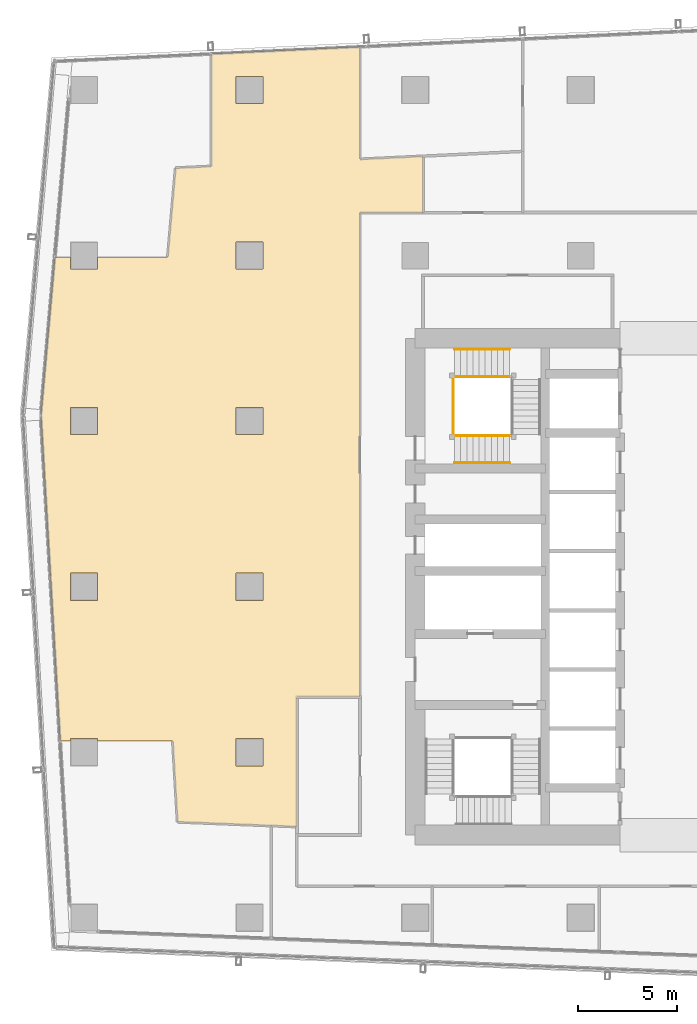
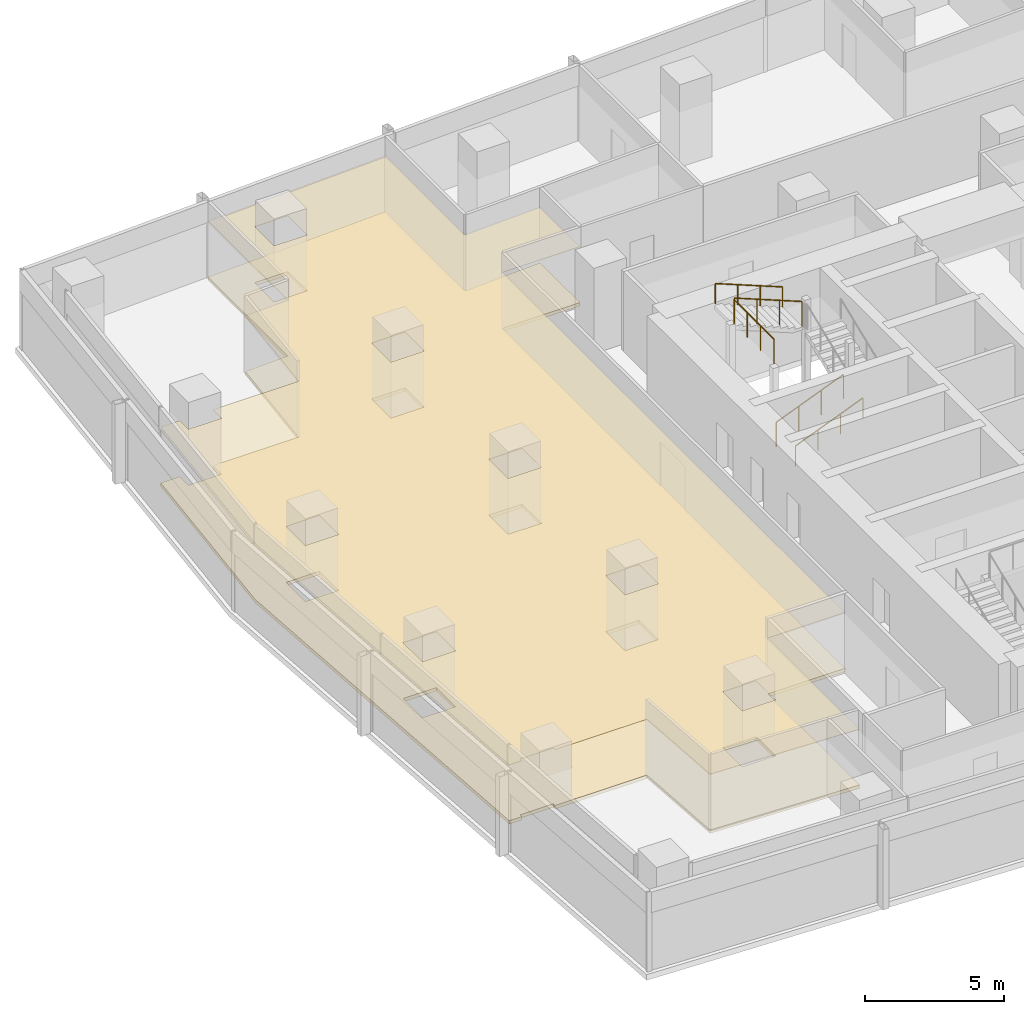
# One storey, part 33 of 40: 5 railings, 2 coverings.
"""IFC4 building model written with IfcOpenShell, lengths in metres."""

from ifc_helpers import new_model, si_unit, direction, frame, origin, origin_2d, place, context, subcontext, project, spatial, polyline, circle, outline, extrude, material, layer, layer_set, type_object, element, save


model = new_model("IFC4")

# Units and contexts
model_context = context("Model", 3, precision=1e-05, world=origin(), true_north=direction((0.0, 1.0)))
body_context = subcontext(model_context, "Body", "Model", "MODEL_VIEW")
ifc_project = project(units=[si_unit("LENGTHUNIT", "METRE"), si_unit("AREAUNIT", "SQUARE_METRE"), si_unit("VOLUMEUNIT", "CUBIC_METRE"), si_unit("PLANEANGLEUNIT", "RADIAN"), si_unit("MASSUNIT", "GRAM", prefix="KILO")], contexts=[model_context])

# Site, building, storey
site_placement = place(None, origin())
site = spatial("IfcSite", under=ifc_project, at=site_placement, CompositionType="ELEMENT")
building_placement = place(site_placement, origin())
building = spatial("IfcBuilding", under=site, at=building_placement, Name="Rekha Terrace Tower", CompositionType="ELEMENT")
storey_placement = place(building_placement, frame((0.0, 0.0, 210.199951171875)))
storey = spatial("IfcBuildingStorey", under=building, at=storey_placement, Name="L53", CompositionType="ELEMENT", Elevation=210.199951171875)

# Covering
ifc_material_1 = material(Name="Mineral fibre tile in exposed grid", Category="finish")
ifc_layer_1 = layer(ifc_material_1, 0.02001953125)
ifc_layer_set_1 = layer_set([ifc_layer_1], Name="Mineral fibre tile in exposed grid")
covering_type_1 = type_object("IfcCoveringType", Name="CL1 600x1200 office grid ceiling", PredefinedType="CEILING", material=ifc_layer_set_1)
covering_1_placement = place(storey_placement, frame((0.0, 0.0, 2.580078125)))
element("IfcCovering", 1, at=covering_1_placement, inside=storey, type_object=covering_type_1, Name="Ceiling L53-15", PredefinedType="CEILING", context=body_context, shape_type="SweptSolid", body=[
    extrude(outline(polyline([(6.9208984375, 50.33203125), (6.2099609375, 42.282958984375), (6.215087890625, 42.282958984375), (6.699951171875, 34.0400390625), (7.18701171875, 25.76611328125), (7.7099609375, 25.76611328125), (7.7099609375, 25.889892578125), (9.090087890625, 25.889892578125), (9.090087890625, 25.76611328125), (12.89697265625, 25.76611328125), (13.138916015625, 21.660888671875), (17.89990234375, 21.470947265625), (19.199951171875, 21.4189453125), (19.199951171875, 28.0), (22.39990234375, 28.0), (22.39990234375, 52.574951171875), (25.60009765625, 52.574951171875), (25.60009765625, 55.444091796875), (22.40087890625, 55.291015625), (22.40087890625, 60.998046875), (14.842041015625, 60.636962890625), (14.842041015625, 54.929931640625), (13.041015625, 54.843994140625), (12.64306640625, 50.33203125), (9.090087890625, 50.33203125), (9.090087890625, 49.7099609375), (7.7099609375, 49.7099609375), (7.7099609375, 50.33203125), (6.9208984375, 50.33203125)]), holes=[polyline([(17.489990234375, 24.510009765625), (16.110107421875, 24.510009765625), (16.110107421875, 25.889892578125), (17.489990234375, 25.889892578125), (17.489990234375, 24.510009765625)]), polyline([(17.489990234375, 32.909912109375), (16.110107421875, 32.909912109375), (16.110107421875, 34.2900390625), (17.489990234375, 34.2900390625), (17.489990234375, 32.909912109375)]), polyline([(17.489990234375, 42.68994140625), (17.489990234375, 41.31005859375), (16.110107421875, 41.31005859375), (16.110107421875, 42.68994140625), (17.489990234375, 42.68994140625)]), polyline([(17.489990234375, 51.090087890625), (17.489990234375, 49.7099609375), (16.110107421875, 49.7099609375), (16.110107421875, 51.090087890625), (17.489990234375, 51.090087890625)]), polyline([(17.489990234375, 59.489990234375), (17.489990234375, 58.110107421875), (16.110107421875, 58.110107421875), (16.110107421875, 59.489990234375), (17.489990234375, 59.489990234375)]), polyline([(9.090087890625, 34.2900390625), (9.090087890625, 32.909912109375), (7.7099609375, 32.909912109375), (7.7099609375, 34.2900390625), (9.090087890625, 34.2900390625)]), polyline([(9.090087890625, 41.31005859375), (7.7099609375, 41.31005859375), (7.7099609375, 42.68994140625), (9.090087890625, 42.68994140625), (9.090087890625, 41.31005859375)])]), origin(), (0.0, 0.0, 1.0), 0.02001953125),
])

# Railings
ifc_material_2 = material(Name="Stainless steel balustrade", Category="steel")
railing_type_1 = type_object("IfcRailingType", Name="GR1 1100 stair guard", PredefinedType="GUARDRAIL", material=ifc_material_2)
railing_1_placement = place(storey_placement, frame((27.199951171875, 41.264892578125, 0.125)))
element("IfcRailing", 2, at=railing_1_placement, inside=storey, type_object=railing_type_1, Name="Guard ST4 L53 flight 1", PredefinedType="GUARDRAIL", context=body_context, shape_type="SweptSolid", body=[
    extrude(circle(Radius=0.02392578125, at=origin_2d()), frame((0.0, 0.0, 1.076171875), z_axis=(0.927443287984, 0.0, 0.373963831907), x_axis=(0.0, 1.0, 0.0)), (0.0, 0.0, 1.0), 3.00830078125),
    extrude(circle(Radius=0.02099609375, at=origin_2d()), origin(), (0.0, 0.0, 1.0), 1.052001953125),
    extrude(circle(Radius=0.02099609375, at=origin_2d()), frame((0.929931640625, 0.0, 0.375)), (0.0, 0.0, 1.0), 1.052001953125),
    extrude(circle(Radius=0.02099609375, at=origin_2d()), frame((1.860107421875, 0.0, 0.75)), (0.0, 0.0, 1.0), 1.052001953125),
    extrude(circle(Radius=0.02099609375, at=origin_2d()), frame((2.7900390625, 0.0, 1.125)), (0.0, 0.0, 1.0), 1.052001953125),
])
railing_2_placement = place(storey_placement, frame((29.989990234375, 44.260009765625, 2.625)))
element("IfcRailing", 3, at=railing_2_placement, inside=storey, type_object=railing_type_1, Name="Guard ST4 L53 flight 3", PredefinedType="GUARDRAIL", context=body_context, shape_type="SweptSolid", body=[
    extrude(circle(Radius=0.02392578125, at=origin_2d()), frame((0.0, 0.0, 1.076171875), z_axis=(-0.927443287984, 0.0, 0.373963831907), x_axis=(0.0, -1.0, 0.0)), (0.0, 0.0, 1.0), 3.00830078125),
    extrude(circle(Radius=0.02099609375, at=origin_2d()), origin(), (0.0, 0.0, 1.0), 1.052001953125),
    extrude(circle(Radius=0.02099609375, at=origin_2d()), frame((-0.929931640625, 0.0, 0.375)), (0.0, 0.0, 1.0), 1.052001953125),
    extrude(circle(Radius=0.02099609375, at=origin_2d()), frame((-1.860107421875, 0.0, 0.75)), (0.0, 0.0, 1.0), 1.052001953125),
    extrude(circle(Radius=0.02099609375, at=origin_2d()), frame((-2.7900390625, 0.0, 1.125)), (0.0, 0.0, 1.0), 1.052001953125),
])
railing_3_placement = place(storey_placement, frame((27.139892578125, 41.324951171875, 3.75)))
element("IfcRailing", 4, at=railing_3_placement, inside=storey, type_object=railing_type_1, Name="Guard ST4 L53 landing 4", PredefinedType="GUARDRAIL", context=body_context, shape_type="SweptSolid", body=[
    extrude(circle(Radius=0.02392578125, at=origin_2d()), frame((0.0, 0.0, 1.076171875), z_axis=(0.0, 1.0, 0.0), x_axis=(-1.0, 0.0, 0.0)), (0.0, 0.0, 1.0), 2.875),
    extrude(circle(Radius=0.02099609375, at=origin_2d()), origin(), (0.0, 0.0, 1.0), 1.052001953125),
    extrude(circle(Radius=0.02099609375, at=origin_2d()), frame((0.0, 0.958251953125, 0.0)), (0.0, 0.0, 1.0), 1.052001953125),
    extrude(circle(Radius=0.02099609375, at=origin_2d()), frame((0.0, 1.916748046875, 0.0)), (0.0, 0.0, 1.0), 1.052001953125),
    extrude(circle(Radius=0.02099609375, at=origin_2d()), frame((0.0, 2.875, 0.0)), (0.0, 0.0, 1.0), 1.052001953125),
])
ifc_material_3 = material(Name="Stainless steel tube", Category="steel")
railing_type_2 = type_object("IfcRailingType", Name="HR1 900 stair handrail", PredefinedType="HANDRAIL", material=ifc_material_3)
railing_4_placement = place(storey_placement, frame((27.199951171875, 39.885009765625, 0.125)))
element("IfcRailing", 5, at=railing_4_placement, inside=storey, type_object=railing_type_2, Name="Handrail ST4 L53 flight 1", PredefinedType="HANDRAIL", context=body_context, shape_type="SweptSolid", body=[
    extrude(circle(Radius=0.02392578125, at=origin_2d()), frame((0.0, 0.0, 0.8759765625), z_axis=(0.927443287984, 0.0, 0.373963831907), x_axis=(0.0, 1.0, 0.0)), (0.0, 0.0, 1.0), 3.00830078125),
    extrude(circle(Radius=0.02099609375, at=origin_2d()), origin(), (0.0, 0.0, 1.0), 0.851806640625),
    extrude(circle(Radius=0.02099609375, at=origin_2d()), frame((0.929931640625, 0.0, 0.375)), (0.0, 0.0, 1.0), 0.851806640625),
    extrude(circle(Radius=0.02099609375, at=origin_2d()), frame((1.860107421875, 0.0, 0.75)), (0.0, 0.0, 1.0), 0.851806640625),
    extrude(circle(Radius=0.02099609375, at=origin_2d()), frame((2.7900390625, 0.0, 1.125)), (0.0, 0.0, 1.0), 0.851806640625),
])
railing_5_placement = place(storey_placement, frame((29.989990234375, 45.639892578125, 2.625)))
element("IfcRailing", 6, at=railing_5_placement, inside=storey, type_object=railing_type_2, Name="Handrail ST4 L53 flight 3", PredefinedType="HANDRAIL", context=body_context, shape_type="SweptSolid", body=[
    extrude(circle(Radius=0.02392578125, at=origin_2d()), frame((0.0, 0.0, 0.8759765625), z_axis=(-0.927443287984, 0.0, 0.373963831907), x_axis=(0.0, -1.0, 0.0)), (0.0, 0.0, 1.0), 3.00830078125),
    extrude(circle(Radius=0.02099609375, at=origin_2d()), origin(), (0.0, 0.0, 1.0), 0.851806640625),
    extrude(circle(Radius=0.02099609375, at=origin_2d()), frame((-0.929931640625, 0.0, 0.375)), (0.0, 0.0, 1.0), 0.851806640625),
    extrude(circle(Radius=0.02099609375, at=origin_2d()), frame((-1.860107421875, 0.0, 0.75)), (0.0, 0.0, 1.0), 0.851806640625),
    extrude(circle(Radius=0.02099609375, at=origin_2d()), frame((-2.7900390625, 0.0, 1.125)), (0.0, 0.0, 1.0), 0.851806640625),
])

# Covering
ifc_material_4 = material(Name="Calcium sulphate panels on steel pedestals", Category="steel")
ifc_layer_2 = layer(ifc_material_4, 0.14990234375)
ifc_layer_set_2 = layer_set([ifc_layer_2], Name="Calcium sulphate panels on steel pedestals")
covering_type_2 = type_object("IfcCoveringType", Name="RF1 150 raised access floor", PredefinedType="FLOORING", material=ifc_layer_set_2)
covering_2_placement = place(storey_placement, origin())
element("IfcCovering", 7, at=covering_2_placement, inside=storey, type_object=covering_type_2, Name="Raised floor L53-15", PredefinedType="FLOORING", context=body_context, shape_type="SweptSolid", body=[
    extrude(outline(polyline([(6.9208984375, 50.33203125), (6.2099609375, 42.282958984375), (6.215087890625, 42.282958984375), (6.699951171875, 34.0400390625), (7.18701171875, 25.76611328125), (7.7099609375, 25.76611328125), (7.7099609375, 25.889892578125), (9.090087890625, 25.889892578125), (9.090087890625, 25.76611328125), (12.89697265625, 25.76611328125), (13.138916015625, 21.660888671875), (17.89990234375, 21.470947265625), (19.199951171875, 21.4189453125), (19.199951171875, 28.0), (22.39990234375, 28.0), (22.39990234375, 52.574951171875), (25.60009765625, 52.574951171875), (25.60009765625, 55.444091796875), (22.40087890625, 55.291015625), (22.40087890625, 60.998046875), (14.842041015625, 60.636962890625), (14.842041015625, 54.929931640625), (13.041015625, 54.843994140625), (12.64306640625, 50.33203125), (9.090087890625, 50.33203125), (9.090087890625, 49.7099609375), (7.7099609375, 49.7099609375), (7.7099609375, 50.33203125), (6.9208984375, 50.33203125)]), holes=[polyline([(17.489990234375, 24.510009765625), (16.110107421875, 24.510009765625), (16.110107421875, 25.889892578125), (17.489990234375, 25.889892578125), (17.489990234375, 24.510009765625)]), polyline([(17.489990234375, 32.909912109375), (16.110107421875, 32.909912109375), (16.110107421875, 34.2900390625), (17.489990234375, 34.2900390625), (17.489990234375, 32.909912109375)]), polyline([(17.489990234375, 42.68994140625), (17.489990234375, 41.31005859375), (16.110107421875, 41.31005859375), (16.110107421875, 42.68994140625), (17.489990234375, 42.68994140625)]), polyline([(17.489990234375, 51.090087890625), (17.489990234375, 49.7099609375), (16.110107421875, 49.7099609375), (16.110107421875, 51.090087890625), (17.489990234375, 51.090087890625)]), polyline([(17.489990234375, 59.489990234375), (17.489990234375, 58.110107421875), (16.110107421875, 58.110107421875), (16.110107421875, 59.489990234375), (17.489990234375, 59.489990234375)]), polyline([(9.090087890625, 34.2900390625), (9.090087890625, 32.909912109375), (7.7099609375, 32.909912109375), (7.7099609375, 34.2900390625), (9.090087890625, 34.2900390625)]), polyline([(9.090087890625, 41.31005859375), (7.7099609375, 41.31005859375), (7.7099609375, 42.68994140625), (9.090087890625, 42.68994140625), (9.090087890625, 41.31005859375)])]), origin(), (0.0, 0.0, 1.0), 0.150146484375),
])

save(model, "model.ifc")
